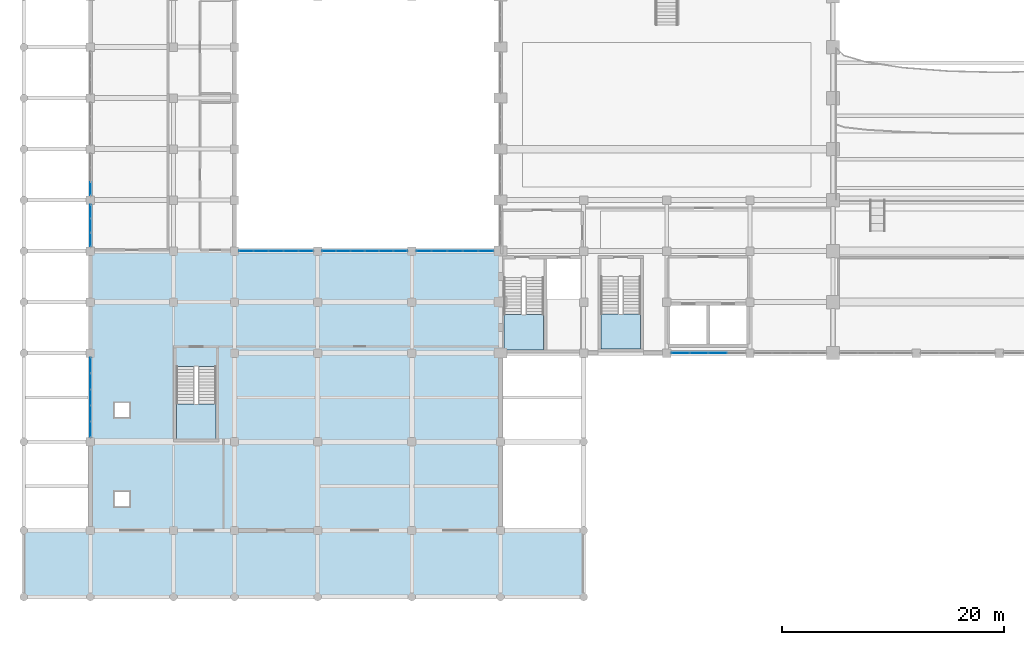
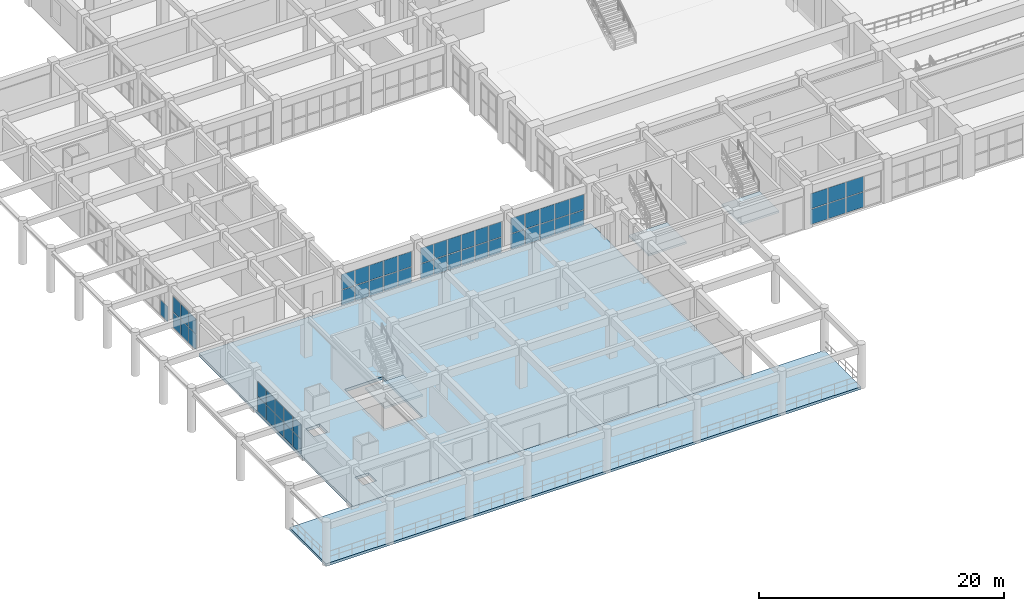
# One storey, part 85 of 116: 55 plates, 5 slabs, 10 elements without a shape of their own.
"""IFC4 building model written with IfcOpenShell, lengths in metres."""

import ifcopenshell
import ifcopenshell.guid

model = None  # the IFC model being written
_history = None  # IfcOwnerHistory: only IFC2X3 demands one
_inside = {}  # id of a spatial element -> (the spatial element, [elements in it])
_under = {}  # id of a project, library or spatial element -> (it, [spatial elements below it])
_declared = {}  # id of a project -> (the project, [libraries it declares])
_typed = {}  # id of a type object -> (the type object, [elements of that type])
_made_of = {}  # id of a material, layer set ... -> (it, [elements and type objects made of it])


def new_model(schema):
    """Start an empty IFC model of exactly this schema.

    Asked for "IFC4X3", IfcOpenShell would pick the latest addendum, in which some entities
    have other attributes; the version numbers below select the first issue.
    IFC2X3 requires an IfcOwnerHistory on every rooted entity: one is made here for all.
    """
    global model, _history
    if schema == "IFC4X3":
        model = ifcopenshell.file(schema_version=(4, 3, 0, 0))
    else:
        model = ifcopenshell.file(schema=schema)
    _inside.clear()
    _under.clear()
    _declared.clear()
    _typed.clear()
    _made_of.clear()
    _history = None
    if model.schema == "IFC2X3":
        org = make("IfcOrganization", Name="unknown")
        user = make(
            "IfcPersonAndOrganization",
            ThePerson=make("IfcPerson", FamilyName="unknown"),
            TheOrganization=org,
        )
        app = make(
            "IfcApplication",
            ApplicationDeveloper=org,
            Version="unknown",
            ApplicationFullName="unknown",
            ApplicationIdentifier="unknown",
        )
        _history = make(
            "IfcOwnerHistory",
            OwningUser=user,
            OwningApplication=app,
            ChangeAction="ADDED",
            CreationDate=0,
        )
    return model


def make(cls, **values):
    """One entity of the class cls with the attributes given. An attribute that is None is left unset."""
    return model.create_entity(
        cls, **{name: value for name, value in values.items() if value is not None}
    )


def rooted(cls, **values):
    """An entity with a GlobalId (a new one), such as an element, a storey or a relation."""
    return make(cls, GlobalId=ifcopenshell.guid.new(), OwnerHistory=_history, **values)


def si_unit(unit_type, name, prefix=None):
    """IfcSIUnit, for example si_unit("LENGTHUNIT", "METRE", prefix="MILLI")."""
    return make("IfcSIUnit", UnitType=unit_type, Prefix=prefix, Name=name)


def assignment(units):
    """IfcUnitAssignment: the units of a project."""
    return None if units is None else make("IfcUnitAssignment", Units=units)


def point(xyz):
    """IfcCartesianPoint."""
    return None if xyz is None else make("IfcCartesianPoint", Coordinates=xyz)


def direction(xyz):
    """IfcDirection."""
    return None if xyz is None else make("IfcDirection", DirectionRatios=xyz)


def frame(location, z_axis=None, x_axis=None):
    """IfcAxis2Placement3D, a coordinate frame: its origin and axes. An axis left out is left unset."""
    return make(
        "IfcAxis2Placement3D",
        Location=point(location),
        Axis=direction(z_axis),
        RefDirection=direction(x_axis),
    )


def frame_2d(location, x_axis=None):
    """IfcAxis2Placement2D, a coordinate frame in the plane: its origin and x axis."""
    return make(
        "IfcAxis2Placement2D", Location=point(location), RefDirection=direction(x_axis)
    )


def origin():
    """The frame at (0, 0, 0) with its axes left unset."""
    return frame((0.0, 0.0, 0.0))


def origin_2d():
    """The frame at (0, 0) in the plane with its x axis left unset."""
    return frame_2d((0.0, 0.0))


def place(relative_to, where):
    """IfcLocalPlacement: puts the frame where relative to a parent placement (None: the world)."""
    return make(
        "IfcLocalPlacement", PlacementRelTo=relative_to, RelativePlacement=where
    )


def context(
    kind, dimensions, precision=None, world=None, true_north=None, identifier=None
):
    """IfcGeometricRepresentationContext, for example the 3D "Model" context."""
    return make(
        "IfcGeometricRepresentationContext",
        ContextIdentifier=identifier,
        ContextType=kind,
        CoordinateSpaceDimension=dimensions,
        Precision=precision,
        WorldCoordinateSystem=world,
        TrueNorth=true_north,
    )


def subcontext(parent, identifier, kind, view, scale=None):
    """IfcGeometricRepresentationSubContext, for example "Body" below "Model"."""
    return make(
        "IfcGeometricRepresentationSubContext",
        ContextIdentifier=identifier,
        ContextType=kind,
        ParentContext=parent,
        TargetScale=scale,
        TargetView=view,
    )


def project(units=None, contexts=None):
    """IfcProject with its units and contexts."""
    return rooted(
        "IfcProject",
        Name="project",
        RepresentationContexts=contexts,
        UnitsInContext=assignment(units),
    )


def spatial(cls, under=None, at=None, **own):
    """A site, building, storey or space (cls), placed at a placement, below another one or the project."""
    s = rooted(cls, ObjectPlacement=at, **own)
    if under is not None:
        _under.setdefault(under.id(), (under, []))[1].append(s)
    return s


def polyline(points):
    """IfcPolyline through the points."""
    return make("IfcPolyline", Points=[point(p) for p in points])


def profile(cls, at=None, kind="AREA", **sizes):
    """A parametric profile (cls). Its sizes go by their IFC names, for example OverallWidth=200.0."""
    return make(cls, ProfileType=kind, Position=at, **sizes)


def rectangle(**sizes):
    """IfcRectangleProfileDef."""
    return profile("IfcRectangleProfileDef", **sizes)


def outline(outer, holes=None, kind="AREA"):
    """IfcArbitraryClosedProfileDef: a profile drawn as a closed curve; with holes, ...WithVoids."""
    if holes is None:
        return make("IfcArbitraryClosedProfileDef", ProfileType=kind, OuterCurve=outer)
    return make(
        "IfcArbitraryProfileDefWithVoids",
        ProfileType=kind,
        OuterCurve=outer,
        InnerCurves=holes,
    )


def extrude(swept, where, along, depth):
    """IfcExtrudedAreaSolid: the profile swept, set in the frame where, extruded along a direction by depth."""
    return make(
        "IfcExtrudedAreaSolid",
        SweptArea=swept,
        Position=where,
        ExtrudedDirection=direction(along),
        Depth=depth,
    )


def shape(context_of_items, identifier, shape_type, items):
    """IfcShapeRepresentation: the items that make up one representation, for example the "Body"."""
    return make(
        "IfcShapeRepresentation",
        ContextOfItems=context_of_items,
        RepresentationIdentifier=identifier,
        RepresentationType=shape_type,
        Items=items,
    )


def material(Name=None, Category=None):
    """IfcMaterial."""
    return make("IfcMaterial", Name=Name, Category=Category)


def layer(
    of_material, thickness, ventilated=None, Name=None, Category=None, Priority=None
):
    """IfcMaterialLayer: one layer of a wall or slab, of a material (None: an air gap)."""
    return make(
        "IfcMaterialLayer",
        Material=of_material,
        LayerThickness=thickness,
        IsVentilated=ventilated,
        Name=Name,
        Category=Category,
        Priority=Priority,
    )


def layer_set(layers, Name=None):
    """IfcMaterialLayerSet."""
    return make("IfcMaterialLayerSet", MaterialLayers=layers, LayerSetName=Name)


def made_of(thing, what):
    """Note that an element or type object is made of a material, layer set ...; save() writes the relation."""
    if what is not None:
        _made_of.setdefault(what.id(), (what, []))[1].append(thing)
    return thing


def type_object(cls, material=None, **own):
    """A type object (cls), such as IfcWallType, which elements share."""
    return made_of(rooted(cls, **own), material)


def element(
    cls,
    number,
    at=None,
    inside=None,
    cuts=None,
    type_object=None,
    material=None,
    context=None,
    identifier="Body",
    shape_type=None,
    held_by="IfcProductDefinitionShape",
    body=None,
    shapes=None,
    **own,
):
    """One element of the class cls, such as IfcWall. Its Tag is "e" and its number.

    at: its placement. inside: the storey or other place that contains it. cuts: it is an
    opening in that element (IfcRelVoidsElement). A single representation is given by context,
    identifier, shape_type and body (its items); several are given by shapes. held_by: the class
    of the entity that holds the representations. save() writes the other relations.
    """
    e = rooted(cls, Tag="e%d" % number, ObjectPlacement=at, **own)
    if body is not None:
        shapes = [shape(context, identifier, shape_type, body)]
    if shapes is not None:
        e.Representation = make(held_by, Representations=shapes)
    if inside is not None:
        _inside.setdefault(inside.id(), (inside, []))[1].append(e)
    if cuts is not None:
        rooted(
            "IfcRelVoidsElement", RelatingBuildingElement=cuts, RelatedOpeningElement=e
        )
    if type_object is not None:
        _typed.setdefault(type_object.id(), (type_object, []))[1].append(e)
    return made_of(e, material)


def aggregate(whole, parts):
    """IfcRelAggregates: a whole, such as a stair, and the parts it consists of."""
    return rooted("IfcRelAggregates", RelatingObject=whole, RelatedObjects=parts)


def save(model, path):
    """Write the relations noted so far, then the file.

    IfcRelAggregates (storeys below a building ...), IfcRelContainedInSpatialStructure (elements
    in a storey), IfcRelDefinesByType, IfcRelAssociatesMaterial and IfcRelDeclares: one each for
    every whole, place, type object, material and project.
    """
    for whole, parts in _under.values():
        aggregate(whole, parts)
    for where, things in _inside.values():
        rooted(
            "IfcRelContainedInSpatialStructure",
            RelatedElements=things,
            RelatingStructure=where,
        )
    for kind, things in _typed.values():
        rooted("IfcRelDefinesByType", RelatedObjects=things, RelatingType=kind)
    for what, things in _made_of.values():
        rooted("IfcRelAssociatesMaterial", RelatedObjects=things, RelatingMaterial=what)
    for by, libraries in _declared.values():
        rooted("IfcRelDeclares", RelatingContext=by, RelatedDefinitions=libraries)
    model.write(path)


model = new_model("IFC4")

# Units and contexts
model_context = context("Model", 3, precision=1e-05, world=origin(), true_north=direction((0.0, 1.0)))
body_context = subcontext(model_context, "Body", "Model", "MODEL_VIEW")
ifc_project = project(units=[si_unit("LENGTHUNIT", "METRE"), si_unit("AREAUNIT", "SQUARE_METRE"), si_unit("VOLUMEUNIT", "CUBIC_METRE"), si_unit("PLANEANGLEUNIT", "RADIAN"), si_unit("MASSUNIT", "GRAM", prefix="KILO")], contexts=[model_context])

# Site, building, storey
site_placement = place(None, origin())
site = spatial("IfcSite", under=ifc_project, at=site_placement, CompositionType="ELEMENT")
building_placement = place(site_placement, origin())
building = spatial("IfcBuilding", under=site, at=building_placement, Name="Muzn Square Opera House", CompositionType="ELEMENT")
storey_placement = place(building_placement, frame((0.0, 0.0, 5.39990234375)))
storey = spatial("IfcBuildingStorey", under=building, at=storey_placement, Name="L01", CompositionType="ELEMENT", Elevation=5.39990234375)

# Curtain wall, plates
ifc_material_1 = material(Name="Low-E laminated acoustic double glazing", Category="glass")
ifc_layer_1 = layer(ifc_material_1, 0.159912109375, Name="Low-E laminated acoustic double glazing", Category="glass")
ifc_layer_set_1 = layer_set([ifc_layer_1], Name="Low-E laminated acoustic double glazing")
curtain_wall_type_1 = type_object("IfcCurtainWallType", Name="Glazed Curtain Wall Forecourt 6750x3200", PredefinedType="USERDEFINED", material=ifc_layer_set_1)
curtain_wall_1_placement = place(storey_placement, origin())
curtain_wall_1 = element("IfcCurtainWall", 1, at=curtain_wall_1_placement, inside=storey, type_object=curtain_wall_type_1, Name="Glazed Curtain Wall CW-L01-003", ObjectType="GLAZED CURTAIN WALL", PredefinedType="USERDEFINED")
ifc_layer_2 = layer(ifc_material_1, 0.028076171875, Name="Low-E laminated acoustic double glazing", Category="glass")
ifc_layer_set_2 = layer_set([ifc_layer_2], Name="Low-E laminated acoustic double glazing")
plate_type = type_object("IfcPlateType", Name="Curtain Wall Acoustic Glazed Panel 28mm", PredefinedType="CURTAIN_PANEL", material=ifc_layer_set_2)
plate_1_placement = place(storey_placement, frame((59.233642578125, 22.0, 0.06005859375), z_axis=(0.0, 0.0, 1.0), x_axis=(1.0, 0.0, 0.0)))
plate_1 = element("IfcPlate", 2, at=plate_1_placement, type_object=plate_type, Name="CW-FC-67x32 panel 1.1", PredefinedType="CURTAIN_PANEL", context=body_context, shape_type="SweptSolid", body=[
    extrude(rectangle(XDim=1.597412109375, YDim=0.028076171875, at=origin_2d()), origin(), (0.0, 0.0, 1.0), 1.510009765625),
])
plate_2_placement = place(storey_placement, frame((59.233642578125, 22.0, 1.6298828125), z_axis=(0.0, 0.0, 1.0), x_axis=(1.0, 0.0, 0.0)))
plate_2 = element("IfcPlate", 3, at=plate_2_placement, type_object=plate_type, Name="CW-FC-67x32 panel 1.2", PredefinedType="CURTAIN_PANEL", context=body_context, shape_type="SweptSolid", body=[
    extrude(rectangle(XDim=1.597412109375, YDim=0.028076171875, at=origin_2d()), origin(), (0.0, 0.0, 1.0), 1.510009765625),
])
plate_3_placement = place(storey_placement, frame((60.90625, 22.0, 0.06005859375), z_axis=(0.0, 0.0, 1.0), x_axis=(1.0, 0.0, 0.0)))
plate_3 = element("IfcPlate", 4, at=plate_3_placement, type_object=plate_type, Name="CW-FC-67x32 panel 2.1", PredefinedType="CURTAIN_PANEL", context=body_context, shape_type="SweptSolid", body=[
    extrude(rectangle(XDim=1.62744140625, YDim=0.028076171875, at=origin_2d()), origin(), (0.0, 0.0, 1.0), 1.510009765625),
])
plate_4_placement = place(storey_placement, frame((60.90625, 22.0, 1.6298828125), z_axis=(0.0, 0.0, 1.0), x_axis=(1.0, 0.0, 0.0)))
plate_4 = element("IfcPlate", 5, at=plate_4_placement, type_object=plate_type, Name="CW-FC-67x32 panel 2.2", PredefinedType="CURTAIN_PANEL", context=body_context, shape_type="SweptSolid", body=[
    extrude(rectangle(XDim=1.62744140625, YDim=0.028076171875, at=origin_2d()), origin(), (0.0, 0.0, 1.0), 1.510009765625),
])
plate_5_placement = place(storey_placement, frame((62.59375, 22.0, 0.06005859375), z_axis=(0.0, 0.0, 1.0), x_axis=(1.0, 0.0, 0.0)))
plate_5 = element("IfcPlate", 6, at=plate_5_placement, type_object=plate_type, Name="CW-FC-67x32 panel 3.1", PredefinedType="CURTAIN_PANEL", context=body_context, shape_type="SweptSolid", body=[
    extrude(rectangle(XDim=1.62744140625, YDim=0.028076171875, at=origin_2d()), origin(), (0.0, 0.0, 1.0), 1.510009765625),
])
plate_6_placement = place(storey_placement, frame((62.59375, 22.0, 1.6298828125), z_axis=(0.0, 0.0, 1.0), x_axis=(1.0, 0.0, 0.0)))
plate_6 = element("IfcPlate", 7, at=plate_6_placement, type_object=plate_type, Name="CW-FC-67x32 panel 3.2", PredefinedType="CURTAIN_PANEL", context=body_context, shape_type="SweptSolid", body=[
    extrude(rectangle(XDim=1.62744140625, YDim=0.028076171875, at=origin_2d()), origin(), (0.0, 0.0, 1.0), 1.510009765625),
])
aggregate(curtain_wall_1, [plate_1, plate_2, plate_3, plate_4, plate_5, plate_6])

ifc_layer_3 = layer(ifc_material_1, 0.159912109375, Name="Low-E laminated acoustic double glazing", Category="glass")
ifc_layer_set_3 = layer_set([ifc_layer_3], Name="Low-E laminated acoustic double glazing")
curtain_wall_type_2 = type_object("IfcCurtainWallType", Name="Glazed Curtain Wall WestCloisterS 6750x3200", PredefinedType="USERDEFINED", material=ifc_layer_set_3)
curtain_wall_2_placement = place(storey_placement, origin())
curtain_wall_2 = element("IfcCurtainWall", 8, at=curtain_wall_2_placement, inside=storey, type_object=curtain_wall_type_2, Name="Glazed Curtain Wall CW-L01-081", ObjectType="GLAZED CURTAIN WALL", PredefinedType="USERDEFINED")
plate_7_placement = place(storey_placement, frame((20.06494140625, 31.199951171875, 0.06005859375), z_axis=(0.0, 0.0, 1.0), x_axis=(1.0, 0.0, 0.0)))
plate_7 = element("IfcPlate", 9, at=plate_7_placement, type_object=plate_type, Name="CW-WCS-67x32 panel 1.1", PredefinedType="CURTAIN_PANEL", context=body_context, shape_type="SweptSolid", body=[
    extrude(rectangle(XDim=1.260009765625, YDim=0.028076171875, at=origin_2d()), origin(), (0.0, 0.0, 1.0), 1.510009765625),
])
plate_8_placement = place(storey_placement, frame((20.06494140625, 31.199951171875, 1.6298828125), z_axis=(0.0, 0.0, 1.0), x_axis=(1.0, 0.0, 0.0)))
plate_8 = element("IfcPlate", 10, at=plate_8_placement, type_object=plate_type, Name="CW-WCS-67x32 panel 1.2", PredefinedType="CURTAIN_PANEL", context=body_context, shape_type="SweptSolid", body=[
    extrude(rectangle(XDim=1.260009765625, YDim=0.028076171875, at=origin_2d()), origin(), (0.0, 0.0, 1.0), 1.510009765625),
])
plate_9_placement = place(storey_placement, frame((21.39990234375, 31.199951171875, 0.06005859375), z_axis=(0.0, 0.0, 1.0), x_axis=(1.0, 0.0, 0.0)))
plate_9 = element("IfcPlate", 11, at=plate_9_placement, type_object=plate_type, Name="CW-WCS-67x32 panel 2.1", PredefinedType="CURTAIN_PANEL", context=body_context, shape_type="SweptSolid", body=[
    extrude(rectangle(XDim=1.2900390625, YDim=0.028076171875, at=origin_2d()), origin(), (0.0, 0.0, 1.0), 1.510009765625),
])
plate_10_placement = place(storey_placement, frame((21.39990234375, 31.199951171875, 1.6298828125), z_axis=(0.0, 0.0, 1.0), x_axis=(1.0, 0.0, 0.0)))
plate_10 = element("IfcPlate", 12, at=plate_10_placement, type_object=plate_type, Name="CW-WCS-67x32 panel 2.2", PredefinedType="CURTAIN_PANEL", context=body_context, shape_type="SweptSolid", body=[
    extrude(rectangle(XDim=1.2900390625, YDim=0.028076171875, at=origin_2d()), origin(), (0.0, 0.0, 1.0), 1.510009765625),
])
plate_11_placement = place(storey_placement, frame((22.75, 31.199951171875, 0.06005859375), z_axis=(0.0, 0.0, 1.0), x_axis=(1.0, 0.0, 0.0)))
plate_11 = element("IfcPlate", 13, at=plate_11_placement, type_object=plate_type, Name="CW-WCS-67x32 panel 3.1", PredefinedType="CURTAIN_PANEL", context=body_context, shape_type="SweptSolid", body=[
    extrude(rectangle(XDim=1.2900390625, YDim=0.028076171875, at=origin_2d()), origin(), (0.0, 0.0, 1.0), 1.510009765625),
])
plate_12_placement = place(storey_placement, frame((22.75, 31.199951171875, 1.6298828125), z_axis=(0.0, 0.0, 1.0), x_axis=(1.0, 0.0, 0.0)))
plate_12 = element("IfcPlate", 14, at=plate_12_placement, type_object=plate_type, Name="CW-WCS-67x32 panel 3.2", PredefinedType="CURTAIN_PANEL", context=body_context, shape_type="SweptSolid", body=[
    extrude(rectangle(XDim=1.2900390625, YDim=0.028076171875, at=origin_2d()), origin(), (0.0, 0.0, 1.0), 1.510009765625),
])
plate_13_placement = place(storey_placement, frame((24.10009765625, 31.199951171875, 0.06005859375), z_axis=(0.0, 0.0, 1.0), x_axis=(1.0, 0.0, 0.0)))
plate_13 = element("IfcPlate", 15, at=plate_13_placement, type_object=plate_type, Name="CW-WCS-67x32 panel 4.1", PredefinedType="CURTAIN_PANEL", context=body_context, shape_type="SweptSolid", body=[
    extrude(rectangle(XDim=1.2900390625, YDim=0.028076171875, at=origin_2d()), origin(), (0.0, 0.0, 1.0), 1.510009765625),
])
plate_14_placement = place(storey_placement, frame((24.10009765625, 31.199951171875, 1.6298828125), z_axis=(0.0, 0.0, 1.0), x_axis=(1.0, 0.0, 0.0)))
plate_14 = element("IfcPlate", 16, at=plate_14_placement, type_object=plate_type, Name="CW-WCS-67x32 panel 4.2", PredefinedType="CURTAIN_PANEL", context=body_context, shape_type="SweptSolid", body=[
    extrude(rectangle(XDim=1.2900390625, YDim=0.028076171875, at=origin_2d()), origin(), (0.0, 0.0, 1.0), 1.510009765625),
])
plate_15_placement = place(storey_placement, frame((25.43505859375, 31.199951171875, 0.06005859375), z_axis=(0.0, 0.0, 1.0), x_axis=(1.0, 0.0, 0.0)))
plate_15 = element("IfcPlate", 17, at=plate_15_placement, type_object=plate_type, Name="CW-WCS-67x32 panel 5.1", PredefinedType="CURTAIN_PANEL", context=body_context, shape_type="SweptSolid", body=[
    extrude(rectangle(XDim=1.260009765625, YDim=0.028076171875, at=origin_2d()), origin(), (0.0, 0.0, 1.0), 1.510009765625),
])
plate_16_placement = place(storey_placement, frame((25.43505859375, 31.199951171875, 1.6298828125), z_axis=(0.0, 0.0, 1.0), x_axis=(1.0, 0.0, 0.0)))
plate_16 = element("IfcPlate", 18, at=plate_16_placement, type_object=plate_type, Name="CW-WCS-67x32 panel 5.2", PredefinedType="CURTAIN_PANEL", context=body_context, shape_type="SweptSolid", body=[
    extrude(rectangle(XDim=1.260009765625, YDim=0.028076171875, at=origin_2d()), origin(), (0.0, 0.0, 1.0), 1.510009765625),
])
aggregate(curtain_wall_2, [plate_7, plate_8, plate_9, plate_10, plate_11, plate_12, plate_13, plate_14, plate_15, plate_16])

ifc_layer_4 = layer(ifc_material_1, 0.159912109375, Name="Low-E laminated acoustic double glazing", Category="glass")
ifc_layer_set_4 = layer_set([ifc_layer_4], Name="Low-E laminated acoustic double glazing")
curtain_wall_type_3 = type_object("IfcCurtainWallType", Name="Glazed Curtain Wall WestCloisterS 7750x3200", PredefinedType="USERDEFINED", material=ifc_layer_set_4)
curtain_wall_3_placement = place(storey_placement, origin())
curtain_wall_3 = element("IfcCurtainWall", 19, at=curtain_wall_3_placement, inside=storey, type_object=curtain_wall_type_3, Name="Glazed Curtain Wall CW-L01-083", ObjectType="GLAZED CURTAIN WALL", PredefinedType="USERDEFINED")
plate_17_placement = place(storey_placement, frame((27.535888671875, 31.199951171875, 0.06005859375), z_axis=(0.0, 0.0, 1.0), x_axis=(1.0, 0.0, 0.0)))
plate_17 = element("IfcPlate", 20, at=plate_17_placement, type_object=plate_type, Name="CW-WCS-77x32 panel 1.1", PredefinedType="CURTAIN_PANEL", context=body_context, shape_type="SweptSolid", body=[
    extrude(rectangle(XDim=1.20166015625, YDim=0.028076171875, at=origin_2d()), origin(), (0.0, 0.0, 1.0), 1.510009765625),
])
plate_18_placement = place(storey_placement, frame((27.535888671875, 31.199951171875, 1.6298828125), z_axis=(0.0, 0.0, 1.0), x_axis=(1.0, 0.0, 0.0)))
plate_18 = element("IfcPlate", 21, at=plate_18_placement, type_object=plate_type, Name="CW-WCS-77x32 panel 1.2", PredefinedType="CURTAIN_PANEL", context=body_context, shape_type="SweptSolid", body=[
    extrude(rectangle(XDim=1.20166015625, YDim=0.028076171875, at=origin_2d()), origin(), (0.0, 0.0, 1.0), 1.510009765625),
])
plate_19_placement = place(storey_placement, frame((28.8125, 31.199951171875, 0.06005859375), z_axis=(0.0, 0.0, 1.0), x_axis=(1.0, 0.0, 0.0)))
plate_19 = element("IfcPlate", 22, at=plate_19_placement, type_object=plate_type, Name="CW-WCS-77x32 panel 2.1", PredefinedType="CURTAIN_PANEL", context=body_context, shape_type="SweptSolid", body=[
    extrude(rectangle(XDim=1.231689453125, YDim=0.028076171875, at=origin_2d()), origin(), (0.0, 0.0, 1.0), 1.510009765625),
])
plate_20_placement = place(storey_placement, frame((28.8125, 31.199951171875, 1.6298828125), z_axis=(0.0, 0.0, 1.0), x_axis=(1.0, 0.0, 0.0)))
plate_20 = element("IfcPlate", 23, at=plate_20_placement, type_object=plate_type, Name="CW-WCS-77x32 panel 2.2", PredefinedType="CURTAIN_PANEL", context=body_context, shape_type="SweptSolid", body=[
    extrude(rectangle(XDim=1.231689453125, YDim=0.028076171875, at=origin_2d()), origin(), (0.0, 0.0, 1.0), 1.510009765625),
])
plate_21_placement = place(storey_placement, frame((30.104248046875, 31.199951171875, 0.06005859375), z_axis=(0.0, 0.0, 1.0), x_axis=(1.0, 0.0, 0.0)))
plate_21 = element("IfcPlate", 24, at=plate_21_placement, type_object=plate_type, Name="CW-WCS-77x32 panel 3.1", PredefinedType="CURTAIN_PANEL", context=body_context, shape_type="SweptSolid", body=[
    extrude(rectangle(XDim=1.231689453125, YDim=0.028076171875, at=origin_2d()), origin(), (0.0, 0.0, 1.0), 1.510009765625),
])
plate_22_placement = place(storey_placement, frame((30.104248046875, 31.199951171875, 1.6298828125), z_axis=(0.0, 0.0, 1.0), x_axis=(1.0, 0.0, 0.0)))
plate_22 = element("IfcPlate", 25, at=plate_22_placement, type_object=plate_type, Name="CW-WCS-77x32 panel 3.2", PredefinedType="CURTAIN_PANEL", context=body_context, shape_type="SweptSolid", body=[
    extrude(rectangle(XDim=1.231689453125, YDim=0.028076171875, at=origin_2d()), origin(), (0.0, 0.0, 1.0), 1.510009765625),
])
plate_23_placement = place(storey_placement, frame((31.395751953125, 31.199951171875, 0.06005859375), z_axis=(0.0, 0.0, 1.0), x_axis=(1.0, 0.0, 0.0)))
plate_23 = element("IfcPlate", 26, at=plate_23_placement, type_object=plate_type, Name="CW-WCS-77x32 panel 4.1", PredefinedType="CURTAIN_PANEL", context=body_context, shape_type="SweptSolid", body=[
    extrude(rectangle(XDim=1.231689453125, YDim=0.028076171875, at=origin_2d()), origin(), (0.0, 0.0, 1.0), 1.510009765625),
])
plate_24_placement = place(storey_placement, frame((31.395751953125, 31.199951171875, 1.6298828125), z_axis=(0.0, 0.0, 1.0), x_axis=(1.0, 0.0, 0.0)))
plate_24 = element("IfcPlate", 27, at=plate_24_placement, type_object=plate_type, Name="CW-WCS-77x32 panel 4.2", PredefinedType="CURTAIN_PANEL", context=body_context, shape_type="SweptSolid", body=[
    extrude(rectangle(XDim=1.231689453125, YDim=0.028076171875, at=origin_2d()), origin(), (0.0, 0.0, 1.0), 1.510009765625),
])
plate_25_placement = place(storey_placement, frame((32.6875, 31.199951171875, 0.06005859375), z_axis=(0.0, 0.0, 1.0), x_axis=(1.0, 0.0, 0.0)))
plate_25 = element("IfcPlate", 28, at=plate_25_placement, type_object=plate_type, Name="CW-WCS-77x32 panel 5.1", PredefinedType="CURTAIN_PANEL", context=body_context, shape_type="SweptSolid", body=[
    extrude(rectangle(XDim=1.231689453125, YDim=0.028076171875, at=origin_2d()), origin(), (0.0, 0.0, 1.0), 1.510009765625),
])
plate_26_placement = place(storey_placement, frame((32.6875, 31.199951171875, 1.6298828125), z_axis=(0.0, 0.0, 1.0), x_axis=(1.0, 0.0, 0.0)))
plate_26 = element("IfcPlate", 29, at=plate_26_placement, type_object=plate_type, Name="CW-WCS-77x32 panel 5.2", PredefinedType="CURTAIN_PANEL", context=body_context, shape_type="SweptSolid", body=[
    extrude(rectangle(XDim=1.231689453125, YDim=0.028076171875, at=origin_2d()), origin(), (0.0, 0.0, 1.0), 1.510009765625),
])
plate_27_placement = place(storey_placement, frame((33.964111328125, 31.199951171875, 0.06005859375), z_axis=(0.0, 0.0, 1.0), x_axis=(1.0, 0.0, 0.0)))
plate_27 = element("IfcPlate", 30, at=plate_27_placement, type_object=plate_type, Name="CW-WCS-77x32 panel 6.1", PredefinedType="CURTAIN_PANEL", context=body_context, shape_type="SweptSolid", body=[
    extrude(rectangle(XDim=1.20166015625, YDim=0.028076171875, at=origin_2d()), origin(), (0.0, 0.0, 1.0), 1.510009765625),
])
plate_28_placement = place(storey_placement, frame((33.964111328125, 31.199951171875, 1.6298828125), z_axis=(0.0, 0.0, 1.0), x_axis=(1.0, 0.0, 0.0)))
plate_28 = element("IfcPlate", 31, at=plate_28_placement, type_object=plate_type, Name="CW-WCS-77x32 panel 6.2", PredefinedType="CURTAIN_PANEL", context=body_context, shape_type="SweptSolid", body=[
    extrude(rectangle(XDim=1.20166015625, YDim=0.028076171875, at=origin_2d()), origin(), (0.0, 0.0, 1.0), 1.510009765625),
])
aggregate(curtain_wall_3, [plate_17, plate_18, plate_19, plate_20, plate_21, plate_22, plate_23, plate_24, plate_25, plate_26, plate_27, plate_28])

ifc_layer_5 = layer(ifc_material_1, 0.159912109375, Name="Low-E laminated acoustic double glazing", Category="glass")
ifc_layer_set_5 = layer_set([ifc_layer_5], Name="Low-E laminated acoustic double glazing")
curtain_wall_type_4 = type_object("IfcCurtainWallType", Name="Glazed Curtain Wall WestCloisterS 7025x3200", PredefinedType="USERDEFINED", material=ifc_layer_set_5)
curtain_wall_4_placement = place(storey_placement, origin())
curtain_wall_4 = element("IfcCurtainWall", 32, at=curtain_wall_4_placement, inside=storey, type_object=curtain_wall_type_4, Name="Glazed Curtain Wall CW-L01-085", ObjectType="GLAZED CURTAIN WALL", PredefinedType="USERDEFINED")
plate_29_placement = place(storey_placement, frame((36.092529296875, 31.199951171875, 0.06005859375), z_axis=(0.0, 0.0, 1.0), x_axis=(1.0, 0.0, 0.0)))
plate_29 = element("IfcPlate", 33, at=plate_29_placement, type_object=plate_type, Name="CW-WCS-70x32 panel 1.1", PredefinedType="CURTAIN_PANEL", context=body_context, shape_type="SweptSolid", body=[
    extrude(rectangle(XDim=1.31494140625, YDim=0.028076171875, at=origin_2d()), origin(), (0.0, 0.0, 1.0), 1.510009765625),
])
plate_30_placement = place(storey_placement, frame((36.092529296875, 31.199951171875, 1.6298828125), z_axis=(0.0, 0.0, 1.0), x_axis=(1.0, 0.0, 0.0)))
plate_30 = element("IfcPlate", 34, at=plate_30_placement, type_object=plate_type, Name="CW-WCS-70x32 panel 1.2", PredefinedType="CURTAIN_PANEL", context=body_context, shape_type="SweptSolid", body=[
    extrude(rectangle(XDim=1.31494140625, YDim=0.028076171875, at=origin_2d()), origin(), (0.0, 0.0, 1.0), 1.510009765625),
])
plate_31_placement = place(storey_placement, frame((37.482421875, 31.199951171875, 0.06005859375), z_axis=(0.0, 0.0, 1.0), x_axis=(1.0, 0.0, 0.0)))
plate_31 = element("IfcPlate", 35, at=plate_31_placement, type_object=plate_type, Name="CW-WCS-70x32 panel 2.1", PredefinedType="CURTAIN_PANEL", context=body_context, shape_type="SweptSolid", body=[
    extrude(rectangle(XDim=1.344970703125, YDim=0.028076171875, at=origin_2d()), origin(), (0.0, 0.0, 1.0), 1.510009765625),
])
plate_32_placement = place(storey_placement, frame((37.482421875, 31.199951171875, 1.6298828125), z_axis=(0.0, 0.0, 1.0), x_axis=(1.0, 0.0, 0.0)))
plate_32 = element("IfcPlate", 36, at=plate_32_placement, type_object=plate_type, Name="CW-WCS-70x32 panel 2.2", PredefinedType="CURTAIN_PANEL", context=body_context, shape_type="SweptSolid", body=[
    extrude(rectangle(XDim=1.344970703125, YDim=0.028076171875, at=origin_2d()), origin(), (0.0, 0.0, 1.0), 1.510009765625),
])
plate_33_placement = place(storey_placement, frame((38.887451171875, 31.199951171875, 0.06005859375), z_axis=(0.0, 0.0, 1.0), x_axis=(1.0, 0.0, 0.0)))
plate_33 = element("IfcPlate", 37, at=plate_33_placement, type_object=plate_type, Name="CW-WCS-70x32 panel 3.1", PredefinedType="CURTAIN_PANEL", context=body_context, shape_type="SweptSolid", body=[
    extrude(rectangle(XDim=1.344970703125, YDim=0.028076171875, at=origin_2d()), origin(), (0.0, 0.0, 1.0), 1.510009765625),
])
plate_34_placement = place(storey_placement, frame((38.887451171875, 31.199951171875, 1.6298828125), z_axis=(0.0, 0.0, 1.0), x_axis=(1.0, 0.0, 0.0)))
plate_34 = element("IfcPlate", 38, at=plate_34_placement, type_object=plate_type, Name="CW-WCS-70x32 panel 3.2", PredefinedType="CURTAIN_PANEL", context=body_context, shape_type="SweptSolid", body=[
    extrude(rectangle(XDim=1.344970703125, YDim=0.028076171875, at=origin_2d()), origin(), (0.0, 0.0, 1.0), 1.510009765625),
])
plate_35_placement = place(storey_placement, frame((40.29248046875, 31.199951171875, 0.06005859375), z_axis=(0.0, 0.0, 1.0), x_axis=(1.0, 0.0, 0.0)))
plate_35 = element("IfcPlate", 39, at=plate_35_placement, type_object=plate_type, Name="CW-WCS-70x32 panel 4.1", PredefinedType="CURTAIN_PANEL", context=body_context, shape_type="SweptSolid", body=[
    extrude(rectangle(XDim=1.344970703125, YDim=0.028076171875, at=origin_2d()), origin(), (0.0, 0.0, 1.0), 1.510009765625),
])
plate_36_placement = place(storey_placement, frame((40.29248046875, 31.199951171875, 1.6298828125), z_axis=(0.0, 0.0, 1.0), x_axis=(1.0, 0.0, 0.0)))
plate_36 = element("IfcPlate", 40, at=plate_36_placement, type_object=plate_type, Name="CW-WCS-70x32 panel 4.2", PredefinedType="CURTAIN_PANEL", context=body_context, shape_type="SweptSolid", body=[
    extrude(rectangle(XDim=1.344970703125, YDim=0.028076171875, at=origin_2d()), origin(), (0.0, 0.0, 1.0), 1.510009765625),
])
plate_37_placement = place(storey_placement, frame((41.6826171875, 31.199951171875, 0.06005859375), z_axis=(0.0, 0.0, 1.0), x_axis=(1.0, 0.0, 0.0)))
plate_37 = element("IfcPlate", 41, at=plate_37_placement, type_object=plate_type, Name="CW-WCS-70x32 panel 5.1", PredefinedType="CURTAIN_PANEL", context=body_context, shape_type="SweptSolid", body=[
    extrude(rectangle(XDim=1.31494140625, YDim=0.028076171875, at=origin_2d()), origin(), (0.0, 0.0, 1.0), 1.510009765625),
])
plate_38_placement = place(storey_placement, frame((41.6826171875, 31.199951171875, 1.6298828125), z_axis=(0.0, 0.0, 1.0), x_axis=(1.0, 0.0, 0.0)))
plate_38 = element("IfcPlate", 42, at=plate_38_placement, type_object=plate_type, Name="CW-WCS-70x32 panel 5.2", PredefinedType="CURTAIN_PANEL", context=body_context, shape_type="SweptSolid", body=[
    extrude(rectangle(XDim=1.31494140625, YDim=0.028076171875, at=origin_2d()), origin(), (0.0, 0.0, 1.0), 1.510009765625),
])
aggregate(curtain_wall_4, [plate_29, plate_30, plate_31, plate_32, plate_33, plate_34, plate_35, plate_36, plate_37, plate_38])

ifc_layer_6 = layer(ifc_material_1, 0.159912109375, Name="Low-E laminated acoustic double glazing", Category="glass")
ifc_layer_set_6 = layer_set([ifc_layer_6], Name="Low-E laminated acoustic double glazing")
curtain_wall_type_5 = type_object("IfcCurtainWallType", Name="Glazed Curtain Wall WestBlvd 7250x3100", PredefinedType="USERDEFINED", material=ifc_layer_set_6)
curtain_wall_5_placement = place(storey_placement, origin())
curtain_wall_5 = element("IfcCurtainWall", 43, at=curtain_wall_5_placement, inside=storey, type_object=curtain_wall_type_5, Name="Glazed Curtain Wall CW-L01-139", ObjectType="GLAZED CURTAIN WALL", PredefinedType="USERDEFINED")
plate_39_placement = place(storey_placement, frame((6.0, 15.114990234375, 0.06005859375), z_axis=(0.0, 0.0, 1.0), x_axis=(0.0, 1.0, 0.0)))
plate_39 = element("IfcPlate", 44, at=plate_39_placement, type_object=plate_type, Name="CW-WBL-72x31 panel 1.1", PredefinedType="CURTAIN_PANEL", context=body_context, shape_type="SweptSolid", body=[
    extrude(rectangle(XDim=1.360107421875, YDim=0.028076171875, at=origin_2d()), origin(), (0.0, 0.0, 1.0), 1.4599609375),
])
plate_40_placement = place(storey_placement, frame((6.0, 15.114990234375, 1.580078125), z_axis=(0.0, 0.0, 1.0), x_axis=(0.0, 1.0, 0.0)))
plate_40 = element("IfcPlate", 45, at=plate_40_placement, type_object=plate_type, Name="CW-WBL-72x31 panel 1.2", PredefinedType="CURTAIN_PANEL", context=body_context, shape_type="SweptSolid", body=[
    extrude(rectangle(XDim=1.360107421875, YDim=0.028076171875, at=origin_2d()), origin(), (0.0, 0.0, 1.0), 1.4599609375),
])
plate_41_placement = place(storey_placement, frame((6.0, 16.550048828125, 0.06005859375), z_axis=(0.0, 0.0, 1.0), x_axis=(0.0, 1.0, 0.0)))
plate_41 = element("IfcPlate", 46, at=plate_41_placement, type_object=plate_type, Name="CW-WBL-72x31 panel 2.1", PredefinedType="CURTAIN_PANEL", context=body_context, shape_type="SweptSolid", body=[
    extrude(rectangle(XDim=1.389892578125, YDim=0.028076171875, at=origin_2d()), origin(), (0.0, 0.0, 1.0), 1.4599609375),
])
plate_42_placement = place(storey_placement, frame((6.0, 16.550048828125, 1.580078125), z_axis=(0.0, 0.0, 1.0), x_axis=(0.0, 1.0, 0.0)))
plate_42 = element("IfcPlate", 47, at=plate_42_placement, type_object=plate_type, Name="CW-WBL-72x31 panel 2.2", PredefinedType="CURTAIN_PANEL", context=body_context, shape_type="SweptSolid", body=[
    extrude(rectangle(XDim=1.389892578125, YDim=0.028076171875, at=origin_2d()), origin(), (0.0, 0.0, 1.0), 1.4599609375),
])
plate_43_placement = place(storey_placement, frame((6.0, 18.0, 0.06005859375), z_axis=(0.0, 0.0, 1.0), x_axis=(0.0, 1.0, 0.0)))
plate_43 = element("IfcPlate", 48, at=plate_43_placement, type_object=plate_type, Name="CW-WBL-72x31 panel 3.1", PredefinedType="CURTAIN_PANEL", context=body_context, shape_type="SweptSolid", body=[
    extrude(rectangle(XDim=1.389892578125, YDim=0.028076171875, at=origin_2d()), origin(), (0.0, 0.0, 1.0), 1.4599609375),
])
plate_44_placement = place(storey_placement, frame((6.0, 18.0, 1.580078125), z_axis=(0.0, 0.0, 1.0), x_axis=(0.0, 1.0, 0.0)))
plate_44 = element("IfcPlate", 49, at=plate_44_placement, type_object=plate_type, Name="CW-WBL-72x31 panel 3.2", PredefinedType="CURTAIN_PANEL", context=body_context, shape_type="SweptSolid", body=[
    extrude(rectangle(XDim=1.389892578125, YDim=0.028076171875, at=origin_2d()), origin(), (0.0, 0.0, 1.0), 1.4599609375),
])
plate_45_placement = place(storey_placement, frame((6.0, 19.449951171875, 0.06005859375), z_axis=(0.0, 0.0, 1.0), x_axis=(0.0, 1.0, 0.0)))
plate_45 = element("IfcPlate", 50, at=plate_45_placement, type_object=plate_type, Name="CW-WBL-72x31 panel 4.1", PredefinedType="CURTAIN_PANEL", context=body_context, shape_type="SweptSolid", body=[
    extrude(rectangle(XDim=1.389892578125, YDim=0.028076171875, at=origin_2d()), origin(), (0.0, 0.0, 1.0), 1.4599609375),
])
plate_46_placement = place(storey_placement, frame((6.0, 19.449951171875, 1.580078125), z_axis=(0.0, 0.0, 1.0), x_axis=(0.0, 1.0, 0.0)))
plate_46 = element("IfcPlate", 51, at=plate_46_placement, type_object=plate_type, Name="CW-WBL-72x31 panel 4.2", PredefinedType="CURTAIN_PANEL", context=body_context, shape_type="SweptSolid", body=[
    extrude(rectangle(XDim=1.389892578125, YDim=0.028076171875, at=origin_2d()), origin(), (0.0, 0.0, 1.0), 1.4599609375),
])
plate_47_placement = place(storey_placement, frame((6.0, 20.885009765625, 0.06005859375), z_axis=(0.0, 0.0, 1.0), x_axis=(0.0, 1.0, 0.0)))
plate_47 = element("IfcPlate", 52, at=plate_47_placement, type_object=plate_type, Name="CW-WBL-72x31 panel 5.1", PredefinedType="CURTAIN_PANEL", context=body_context, shape_type="SweptSolid", body=[
    extrude(rectangle(XDim=1.360107421875, YDim=0.028076171875, at=origin_2d()), origin(), (0.0, 0.0, 1.0), 1.4599609375),
])
plate_48_placement = place(storey_placement, frame((6.0, 20.885009765625, 1.580078125), z_axis=(0.0, 0.0, 1.0), x_axis=(0.0, 1.0, 0.0)))
plate_48 = element("IfcPlate", 53, at=plate_48_placement, type_object=plate_type, Name="CW-WBL-72x31 panel 5.2", PredefinedType="CURTAIN_PANEL", context=body_context, shape_type="SweptSolid", body=[
    extrude(rectangle(XDim=1.360107421875, YDim=0.028076171875, at=origin_2d()), origin(), (0.0, 0.0, 1.0), 1.4599609375),
])
aggregate(curtain_wall_5, [plate_39, plate_40, plate_41, plate_42, plate_43, plate_44, plate_45, plate_46, plate_47, plate_48])

ifc_layer_7 = layer(ifc_material_1, 0.159912109375, Name="Low-E laminated acoustic double glazing", Category="glass")
ifc_layer_set_7 = layer_set([ifc_layer_7], Name="Low-E laminated acoustic double glazing")
curtain_wall_type_6 = type_object("IfcCurtainWallType", Name="Glazed Curtain Wall WestBlvd 3850x3200", PredefinedType="USERDEFINED", material=ifc_layer_set_7)
curtain_wall_6_placement = place(storey_placement, origin())
curtain_wall_6 = element("IfcCurtainWall", 54, at=curtain_wall_6_placement, inside=storey, type_object=curtain_wall_type_6, Name="Glazed Curtain Wall CW-L01-140", ObjectType="GLAZED CURTAIN WALL", PredefinedType="USERDEFINED")
plate_49_placement = place(storey_placement, frame((6.0, 32.231689453125, 0.06005859375), z_axis=(0.0, 0.0, 1.0), x_axis=(0.0, 1.0, 0.0)))
plate_49 = element("IfcPlate", 55, at=plate_49_placement, type_object=plate_type, Name="CW-WBL-38x32 panel 1.1", PredefinedType="CURTAIN_PANEL", context=body_context, shape_type="SweptSolid", body=[
    extrude(rectangle(XDim=1.193359375, YDim=0.028076171875, at=origin_2d()), origin(), (0.0, 0.0, 1.0), 1.510009765625),
])
plate_50_placement = place(storey_placement, frame((6.0, 32.231689453125, 1.6298828125), z_axis=(0.0, 0.0, 1.0), x_axis=(0.0, 1.0, 0.0)))
plate_50 = element("IfcPlate", 56, at=plate_50_placement, type_object=plate_type, Name="CW-WBL-38x32 panel 1.2", PredefinedType="CURTAIN_PANEL", context=body_context, shape_type="SweptSolid", body=[
    extrude(rectangle(XDim=1.193359375, YDim=0.028076171875, at=origin_2d()), origin(), (0.0, 0.0, 1.0), 1.510009765625),
])
plate_51_placement = place(storey_placement, frame((6.0, 33.5, 0.06005859375), z_axis=(0.0, 0.0, 1.0), x_axis=(0.0, 1.0, 0.0)))
plate_51 = element("IfcPlate", 57, at=plate_51_placement, type_object=plate_type, Name="CW-WBL-38x32 panel 2.1", PredefinedType="CURTAIN_PANEL", context=body_context, shape_type="SweptSolid", body=[
    extrude(rectangle(XDim=1.223388671875, YDim=0.028076171875, at=origin_2d()), origin(), (0.0, 0.0, 1.0), 1.510009765625),
])
plate_52_placement = place(storey_placement, frame((6.0, 33.5, 1.6298828125), z_axis=(0.0, 0.0, 1.0), x_axis=(0.0, 1.0, 0.0)))
plate_52 = element("IfcPlate", 58, at=plate_52_placement, type_object=plate_type, Name="CW-WBL-38x32 panel 2.2", PredefinedType="CURTAIN_PANEL", context=body_context, shape_type="SweptSolid", body=[
    extrude(rectangle(XDim=1.223388671875, YDim=0.028076171875, at=origin_2d()), origin(), (0.0, 0.0, 1.0), 1.510009765625),
])
plate_53_placement = place(storey_placement, frame((6.0, 34.768310546875, 0.06005859375), z_axis=(0.0, 0.0, 1.0), x_axis=(0.0, 1.0, 0.0)))
plate_53 = element("IfcPlate", 59, at=plate_53_placement, type_object=plate_type, Name="CW-WBL-38x32 panel 3.1", PredefinedType="CURTAIN_PANEL", context=body_context, shape_type="SweptSolid", body=[
    extrude(rectangle(XDim=1.193359375, YDim=0.028076171875, at=origin_2d()), origin(), (0.0, 0.0, 1.0), 1.510009765625),
])
plate_54_placement = place(storey_placement, frame((6.0, 34.768310546875, 1.6298828125), z_axis=(0.0, 0.0, 1.0), x_axis=(0.0, 1.0, 0.0)))
plate_54 = element("IfcPlate", 60, at=plate_54_placement, type_object=plate_type, Name="CW-WBL-38x32 panel 3.2", PredefinedType="CURTAIN_PANEL", context=body_context, shape_type="SweptSolid", body=[
    extrude(rectangle(XDim=1.193359375, YDim=0.028076171875, at=origin_2d()), origin(), (0.0, 0.0, 1.0), 1.510009765625),
])
aggregate(curtain_wall_6, [plate_49, plate_50, plate_51, plate_52, plate_53, plate_54])

# Curtain wall, plate
curtain_wall_7_placement = place(storey_placement, origin())
curtain_wall_7 = element("IfcCurtainWall", 61, at=curtain_wall_7_placement, inside=storey, type_object=curtain_wall_type_6, Name="Glazed Curtain Wall CW-L01-141", ObjectType="GLAZED CURTAIN WALL", PredefinedType="USERDEFINED")
plate_55_placement = place(storey_placement, frame((6.0, 36.831787109375, 0.06005859375), z_axis=(0.0, 0.0, 1.0), x_axis=(0.0, 1.0, 0.0)))
plate_55 = element("IfcPlate", 62, at=plate_55_placement, type_object=plate_type, Name="CW-WBL-38x32 panel 1.1", PredefinedType="CURTAIN_PANEL", context=body_context, shape_type="SweptSolid", body=[
    extrude(rectangle(XDim=1.193359375, YDim=0.028076171875, at=origin_2d()), origin(), (0.0, 0.0, 1.0), 1.510009765625),
])
aggregate(curtain_wall_7, [plate_55])

# Slab
ifc_material_2 = material(Name="Concrete C40/50", Category="concrete")
ifc_layer_8 = layer(ifc_material_2, 0.280029296875, Name="Concrete C40/50", Category="concrete")
ifc_layer_set_8 = layer_set([ifc_layer_8], Name="Concrete C40/50")
slab_type_1 = type_object("IfcSlabType", Name="Floor Slab 280mm", PredefinedType="FLOOR", material=ifc_layer_set_8)
slab_1_placement = place(storey_placement, frame((0.0, 0.0, -0.27978515625)))
element("IfcSlab", 63, at=slab_1_placement, inside=storey, type_object=slab_type_1, Name="Floor Slab SLB-L01-WSOUTH", PredefinedType="FLOOR", context=body_context, shape_type="SweptSolid", body=[
    extrude(outline(polyline([(6.0, 6.0), (43.0, 6.0), (43.0, 31.199951171875), (6.0, 31.199951171875), (6.0, 6.0)]), holes=[polyline([(13.75, 14.25), (17.35009765625, 14.25), (17.35009765625, 20.781982421875), (13.75, 20.781982421875), (13.75, 14.25)]), polyline([(8.199951171875, 8.199951171875), (9.5, 8.199951171875), (9.5, 9.5), (8.199951171875, 9.5), (8.199951171875, 8.199951171875)]), polyline([(8.199951171875, 16.199951171875), (9.5, 16.199951171875), (9.5, 17.5), (8.199951171875, 17.5), (8.199951171875, 16.199951171875)])]), origin(), (0.0, 0.0, 1.0), 0.27978515625),
])

# Stair, slab
stair_type = type_object("IfcStairType", Name="Core Escape Dogleg Stair", PredefinedType="HALF_TURN_STAIR", material=ifc_material_2)
stair_1_placement = place(storey_placement, origin())
stair_1 = element("IfcStair", 64, at=stair_1_placement, inside=storey, type_object=stair_type, Name="L01 Escape Stair ST-3", PredefinedType="HALF_TURN_STAIR")
ifc_layer_9 = layer(ifc_material_2, 0.199951171875, Name="Concrete C40/50", Category="concrete")
ifc_layer_set_9 = layer_set([ifc_layer_9], Name="Concrete C40/50")
slab_type_2 = type_object("IfcSlabType", Name="Stair Half Landing 200mm", PredefinedType="LANDING", material=ifc_layer_set_9)
slab_2_placement = place(storey_placement, frame((0.0, 0.0, 2.0)))
slab_2 = element("IfcSlab", 65, at=slab_2_placement, type_object=slab_type_2, Name="ST-3 landing 1", PredefinedType="LANDING", context=body_context, shape_type="SweptSolid", body=[
    extrude(outline(polyline([(43.300048828125, 25.47998046875), (43.300048828125, 22.300048828125), (46.89990234375, 22.300048828125), (46.89990234375, 25.47998046875), (43.300048828125, 25.47998046875)])), origin(), (0.0, 0.0, 1.0), 0.2001953125),
])
aggregate(stair_1, [slab_2])

stair_2_placement = place(storey_placement, origin())
stair_2 = element("IfcStair", 66, at=stair_2_placement, inside=storey, type_object=stair_type, Name="L01 Escape Stair ST-7", PredefinedType="HALF_TURN_STAIR")
slab_3_placement = place(storey_placement, frame((0.0, 0.0, 2.0)))
slab_3 = element("IfcSlab", 67, at=slab_3_placement, type_object=slab_type_2, Name="ST-7 landing 1", PredefinedType="LANDING", context=body_context, shape_type="SweptSolid", body=[
    extrude(outline(polyline([(13.75, 17.429931640625), (13.75, 14.25), (17.35009765625, 14.25), (17.35009765625, 17.429931640625), (13.75, 17.429931640625)])), origin(), (0.0, 0.0, 1.0), 0.2001953125),
])
aggregate(stair_2, [slab_3])

stair_3_placement = place(storey_placement, origin())
stair_3 = element("IfcStair", 68, at=stair_3_placement, inside=storey, type_object=stair_type, Name="L01 Escape Stair ST-11", PredefinedType="HALF_TURN_STAIR")
slab_4_placement = place(storey_placement, frame((0.0, 0.0, 2.0)))
slab_4 = element("IfcSlab", 69, at=slab_4_placement, type_object=slab_type_2, Name="ST-11 landing 1", PredefinedType="LANDING", context=body_context, shape_type="SweptSolid", body=[
    extrude(outline(polyline([(52.050048828125, 25.530029296875), (52.050048828125, 22.35009765625), (55.64990234375, 22.35009765625), (55.64990234375, 25.530029296875), (52.050048828125, 25.530029296875)])), origin(), (0.0, 0.0, 1.0), 0.2001953125),
])
aggregate(stair_3, [slab_4])

# Slab
ifc_layer_10 = layer(ifc_material_2, 0.260009765625, Name="Concrete C40/50", Category="concrete")
ifc_layer_set_10 = layer_set([ifc_layer_10], Name="Concrete C40/50")
slab_type_3 = type_object("IfcSlabType", Name="Terrace Slab 260mm", PredefinedType="FLOOR", material=ifc_layer_set_10)
slab_5_placement = place(storey_placement, frame((0.0, 0.0, -0.260009765625)))
element("IfcSlab", 70, at=slab_5_placement, inside=storey, type_object=slab_type_3, Name="Outdoor Terrace Slab EXT-L01-COL-WS", PredefinedType="FLOOR", context=body_context, shape_type="SweptSolid", body=[
    extrude(outline(polyline([(0.0, 0.0), (50.5, 0.0), (50.5, 6.0), (0.0, 6.0), (0.0, 0.0)])), origin(), (0.0, 0.0, 1.0), 0.260009765625),
])

save(model, "model.ifc")
